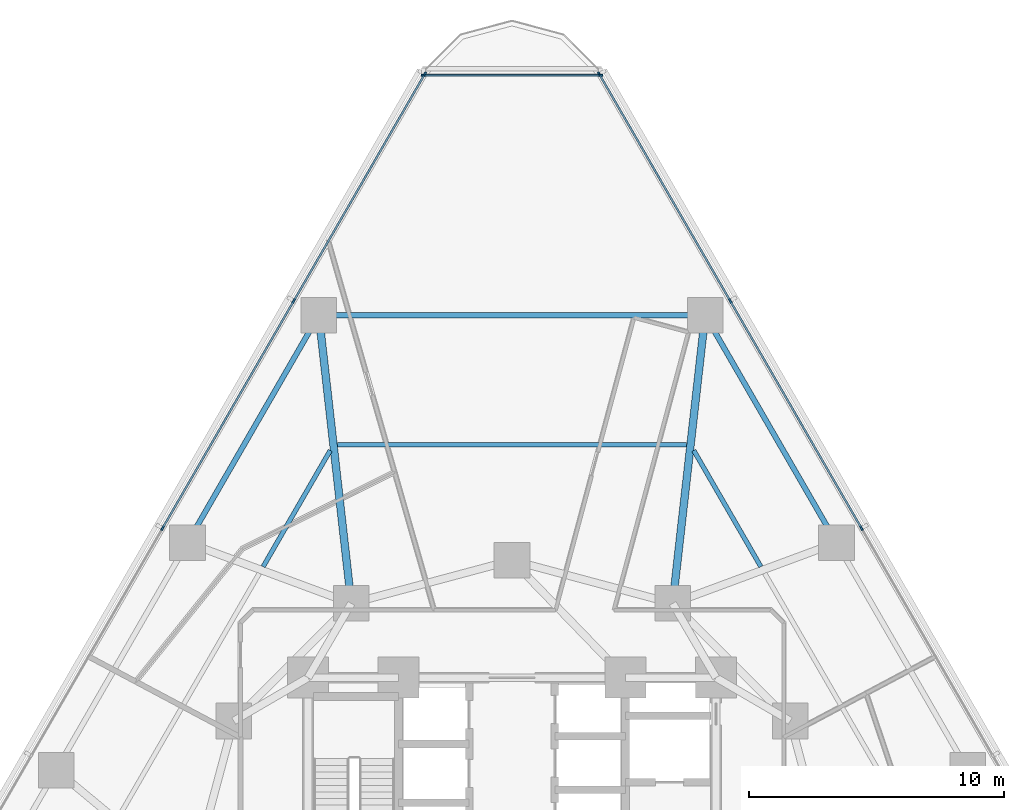
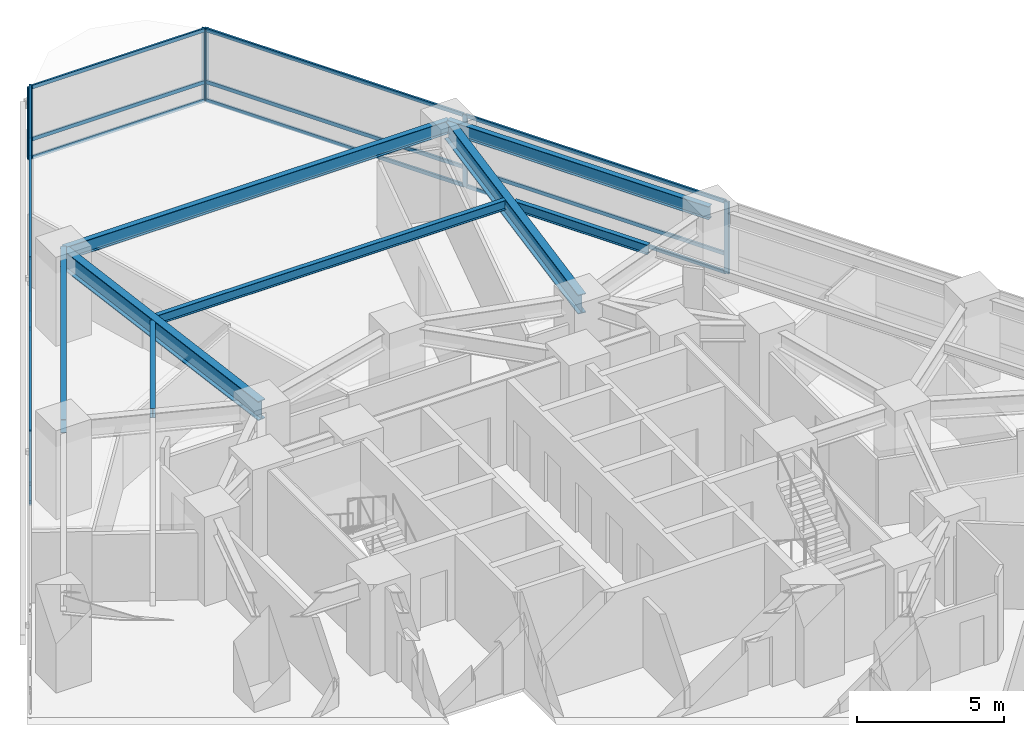
# One storey, part 6 of 16: 23 members, 8 beams, 3 elements without a shape of their own.
"""IFC4 building model written with IfcOpenShell, lengths in metres."""

from ifc_helpers import new_model, si_unit, direction, frame, origin, origin_2d, place, context, subcontext, project, spatial, rectangle, i_section, extrude, material, layer, layer_set, material_profile, profile_set, type_object, element, aggregate, save


model = new_model("IFC4")

# Units and contexts
model_context = context("Model", 3, precision=1e-05, world=origin(), true_north=direction((0.0, 1.0)))
body_context = subcontext(model_context, "Body", "Model", "MODEL_VIEW")
ifc_project = project(units=[si_unit("LENGTHUNIT", "METRE"), si_unit("AREAUNIT", "SQUARE_METRE"), si_unit("VOLUMEUNIT", "CUBIC_METRE"), si_unit("PLANEANGLEUNIT", "RADIAN"), si_unit("MASSUNIT", "GRAM", prefix="KILO")], contexts=[model_context])

# Site, building, storey
site_placement = place(None, origin())
site = spatial("IfcSite", under=ifc_project, at=site_placement, CompositionType="ELEMENT")
building_placement = place(site_placement, origin())
building = spatial("IfcBuilding", under=site, at=building_placement, Name="Terralouvre Media Tower", CompositionType="ELEMENT")
storey_placement = place(building_placement, frame((0.0, 0.0, 37.10009765625)))
storey = spatial("IfcBuildingStorey", under=building, at=storey_placement, Name="L08", CompositionType="ELEMENT", Elevation=37.10009765625)

# Beams
ifc_material_1 = material(Name="Structural steel S355J2", Category="steel")
ifc_material_profile_1 = material_profile(ifc_material_1, i_section(OverallWidth=0.179931640625, OverallDepth=0.39990234375, WebThickness=0.008544921875, FlangeThickness=0.013427734375, at=origin_2d()), Name="IPE 400")
ifc_profile_set_1 = profile_set([ifc_material_profile_1], Name="Structural steel S355J2")
beam_type_1 = type_object("IfcBeamType", Name="Composite Floor Joist J-IPE400 (IPE 400)", PredefinedType="JOIST", material=ifc_profile_set_1)
beam_1_placement = place(storey_placement, frame((9.758544921875, 12.351806640625, 3.2998046875), z_axis=(-0.499984733014, 0.866034218004, 0.0), x_axis=(-0.866034218004, -0.499984733014, 0.0)))
element("IfcBeam", 1, at=beam_1_placement, inside=storey, type_object=beam_type_1, Name="L08 Framing Beam JT-L08-08", PredefinedType="JOIST", context=body_context, shape_type="SweptSolid", body=[
    extrude(i_section(OverallWidth=0.179931640625, OverallDepth=0.39990234375, WebThickness=0.008544921875, FlangeThickness=0.013427734375, at=origin_2d()), origin(), (0.0, 0.0, 1.0), 5.264404296875),
])
beam_2_placement = place(storey_placement, frame((6.85107421875, 17.127685546875, 3.2998046875), z_axis=(-1.0, 0.0, 0.0), x_axis=(0.0, -1.0, 0.0)))
element("IfcBeam", 2, at=beam_2_placement, inside=storey, type_object=beam_type_1, Name="L08 Framing Beam JT-L08-09", PredefinedType="JOIST", context=body_context, shape_type="SweptSolid", body=[
    extrude(i_section(OverallWidth=0.179931640625, OverallDepth=0.39990234375, WebThickness=0.008544921875, FlangeThickness=0.013427734375, at=origin_2d()), origin(), (0.0, 0.0, 1.0), 13.7021484375),
])
beam_3_placement = place(storey_placement, frame((-7.12646484375, 16.910888671875, 3.2998046875), z_axis=(-0.499984733014, -0.866034218004, 0.0), x_axis=(0.866034218004, -0.499984733014, 0.0)))
element("IfcBeam", 3, at=beam_3_placement, inside=storey, type_object=beam_type_1, Name="L08 Framing Beam JT-L08-10", PredefinedType="JOIST", context=body_context, shape_type="SweptSolid", body=[
    extrude(i_section(OverallWidth=0.179931640625, OverallDepth=0.39990234375, WebThickness=0.008544921875, FlangeThickness=0.013427734375, at=origin_2d()), origin(), (0.0, 0.0, 1.0), 5.264404296875),
])

# Curtain wall, members
ifc_material_2 = material(Name="Low-iron laminated double glazing with solar-control coating", Category="glass")
ifc_layer_1 = layer(ifc_material_2, 0.1650390625, Name="Lower Media Tower Unitised Curtain Wall CW-02")
ifc_layer_set_1 = layer_set([ifc_layer_1], Name="Low-iron laminated double glazing with solar-control coating")
curtain_wall_type_1 = type_object("IfcCurtainWallType", Name="Lower Media Tower Unitised Curtain Wall CW-02", PredefinedType="NOTDEFINED", material=ifc_layer_set_1)
curtain_wall_1_placement = place(storey_placement, origin())
curtain_wall_1 = element("IfcCurtainWall", 4, at=curtain_wall_1_placement, inside=storey, type_object=curtain_wall_type_1, Name="L08 Facade Curtain Wall F1", PredefinedType="NOTDEFINED")
ifc_material_3 = material(Name="Anodised extruded aluminium 6063-T6", Category="aluminium")
ifc_material_profile_2 = material_profile(ifc_material_3, rectangle(XDim=0.074951171875, YDim=0.14990234375, at=origin_2d()), Name="ALU 75x150")
ifc_profile_set_2 = profile_set([ifc_material_profile_2], Name="Anodised extruded aluminium 6063-T6")
member_type_1 = type_object("IfcMemberType", Name="Curtain-Wall Horizontal Transom TR-150", PredefinedType="USERDEFINED", material=ifc_profile_set_2)
member_1_placement = place(storey_placement, frame((13.684814453125, 13.890869140625, 0.037353515625), z_axis=(-0.499998717582, 0.866026144187, 0.0), x_axis=(-0.866026144187, -0.499998717582, 0.0)))
member_1 = element("IfcMember", 5, at=member_1_placement, type_object=member_type_1, Name="CW-02 transom 4.1", ObjectType="TRANSOM", PredefinedType="USERDEFINED", context=body_context, shape_type="SweptSolid", body=[
    extrude(rectangle(XDim=0.074951171875, YDim=0.14990234375, at=origin_2d()), origin(), (0.0, 0.0, 1.0), 10.22509765625),
])
member_2_placement = place(storey_placement, frame((13.684814453125, 13.890869140625, 0.7998046875), z_axis=(-0.499998717582, 0.866026144187, 0.0), x_axis=(-0.866026144187, -0.499998717582, 0.0)))
member_2 = element("IfcMember", 6, at=member_2_placement, type_object=member_type_1, Name="CW-02 transom 4.2", ObjectType="TRANSOM", PredefinedType="USERDEFINED", context=body_context, shape_type="SweptSolid", body=[
    extrude(rectangle(XDim=0.074951171875, YDim=0.14990234375, at=origin_2d()), origin(), (0.0, 0.0, 1.0), 10.22509765625),
])
member_3_placement = place(storey_placement, frame((13.684814453125, 13.890869140625, 2.96240234375), z_axis=(-0.499998717582, 0.866026144187, 0.0), x_axis=(-0.866026144187, -0.499998717582, 0.0)))
member_3 = element("IfcMember", 7, at=member_3_placement, type_object=member_type_1, Name="CW-02 transom 4.3", ObjectType="TRANSOM", PredefinedType="USERDEFINED", context=body_context, shape_type="SweptSolid", body=[
    extrude(rectangle(XDim=0.074951171875, YDim=0.14990234375, at=origin_2d()), origin(), (0.0, 0.0, 1.0), 10.22509765625),
])
member_4_placement = place(storey_placement, frame((8.53466796875, 22.81103515625, 0.037353515625), z_axis=(-0.500005272087, 0.866022359922, 0.0), x_axis=(-0.866022359922, -0.500005272087, 0.0)))
member_4 = element("IfcMember", 8, at=member_4_placement, type_object=member_type_1, Name="CW-02 transom 5.1", ObjectType="TRANSOM", PredefinedType="USERDEFINED", context=body_context, shape_type="SweptSolid", body=[
    extrude(rectangle(XDim=0.074951171875, YDim=0.14990234375, at=origin_2d()), origin(), (0.0, 0.0, 1.0), 10.1875),
])
member_5_placement = place(storey_placement, frame((8.53466796875, 22.81103515625, 0.7998046875), z_axis=(-0.500005272087, 0.866022359922, 0.0), x_axis=(-0.866022359922, -0.500005272087, 0.0)))
member_5 = element("IfcMember", 9, at=member_5_placement, type_object=member_type_1, Name="CW-02 transom 5.2", ObjectType="TRANSOM", PredefinedType="USERDEFINED", context=body_context, shape_type="SweptSolid", body=[
    extrude(rectangle(XDim=0.074951171875, YDim=0.14990234375, at=origin_2d()), origin(), (0.0, 0.0, 1.0), 10.1875),
])
member_6_placement = place(storey_placement, frame((8.53466796875, 22.81103515625, 2.96240234375), z_axis=(-0.500005272087, 0.866022359922, 0.0), x_axis=(-0.866022359922, -0.500005272087, 0.0)))
member_6 = element("IfcMember", 10, at=member_6_placement, type_object=member_type_1, Name="CW-02 transom 5.3", ObjectType="TRANSOM", PredefinedType="USERDEFINED", context=body_context, shape_type="SweptSolid", body=[
    extrude(rectangle(XDim=0.074951171875, YDim=0.14990234375, at=origin_2d()), origin(), (0.0, 0.0, 1.0), 10.1875),
])

curtain_wall_2_placement = place(storey_placement, origin())
curtain_wall_2 = element("IfcCurtainWall", 11, at=curtain_wall_2_placement, inside=storey, type_object=curtain_wall_type_1, Name="L08 Facade Curtain Wall F2", PredefinedType="NOTDEFINED")
member_7_placement = place(storey_placement, frame((-3.44091796875, 31.633544921875, 0.037353515625), z_axis=(-0.500005272087, -0.866022359922, 0.0), x_axis=(0.866022359922, -0.500005272087, 0.0)))
member_7 = element("IfcMember", 12, at=member_7_placement, type_object=member_type_1, Name="CW-02 transom 1.1", ObjectType="TRANSOM", PredefinedType="USERDEFINED", context=body_context, shape_type="SweptSolid", body=[
    extrude(rectangle(XDim=0.074951171875, YDim=0.14990234375, at=origin_2d()), origin(), (0.0, 0.0, 1.0), 10.1875),
])
member_8_placement = place(storey_placement, frame((-3.44091796875, 31.633544921875, 0.7998046875), z_axis=(-0.500005272087, -0.866022359922, 0.0), x_axis=(0.866022359922, -0.500005272087, 0.0)))
member_8 = element("IfcMember", 13, at=member_8_placement, type_object=member_type_1, Name="CW-02 transom 1.2", ObjectType="TRANSOM", PredefinedType="USERDEFINED", context=body_context, shape_type="SweptSolid", body=[
    extrude(rectangle(XDim=0.074951171875, YDim=0.14990234375, at=origin_2d()), origin(), (0.0, 0.0, 1.0), 10.1875),
])
member_9_placement = place(storey_placement, frame((-3.44091796875, 31.633544921875, 2.96240234375), z_axis=(-0.500005272087, -0.866022359922, 0.0), x_axis=(0.866022359922, -0.500005272087, 0.0)))
member_9 = element("IfcMember", 14, at=member_9_placement, type_object=member_type_1, Name="CW-02 transom 1.3", ObjectType="TRANSOM", PredefinedType="USERDEFINED", context=body_context, shape_type="SweptSolid", body=[
    extrude(rectangle(XDim=0.074951171875, YDim=0.14990234375, at=origin_2d()), origin(), (0.0, 0.0, 1.0), 10.1875),
])
member_10_placement = place(storey_placement, frame((-8.572265625, 22.74609375, 0.037353515625), z_axis=(-0.499998717582, -0.866026144187, 0.0), x_axis=(0.866026144187, -0.499998717582, 0.0)))
member_10 = element("IfcMember", 15, at=member_10_placement, type_object=member_type_1, Name="CW-02 transom 2.1", ObjectType="TRANSOM", PredefinedType="USERDEFINED", context=body_context, shape_type="SweptSolid", body=[
    extrude(rectangle(XDim=0.074951171875, YDim=0.14990234375, at=origin_2d()), origin(), (0.0, 0.0, 1.0), 10.22509765625),
])
member_11_placement = place(storey_placement, frame((-8.572265625, 22.74609375, 0.7998046875), z_axis=(-0.499998717582, -0.866026144187, 0.0), x_axis=(0.866026144187, -0.499998717582, 0.0)))
member_11 = element("IfcMember", 16, at=member_11_placement, type_object=member_type_1, Name="CW-02 transom 2.2", ObjectType="TRANSOM", PredefinedType="USERDEFINED", context=body_context, shape_type="SweptSolid", body=[
    extrude(rectangle(XDim=0.074951171875, YDim=0.14990234375, at=origin_2d()), origin(), (0.0, 0.0, 1.0), 10.22509765625),
])
member_12_placement = place(storey_placement, frame((-8.572265625, 22.74609375, 2.96240234375), z_axis=(-0.499998717582, -0.866026144187, 0.0), x_axis=(0.866026144187, -0.499998717582, 0.0)))
member_12 = element("IfcMember", 17, at=member_12_placement, type_object=member_type_1, Name="CW-02 transom 2.3", ObjectType="TRANSOM", PredefinedType="USERDEFINED", context=body_context, shape_type="SweptSolid", body=[
    extrude(rectangle(XDim=0.074951171875, YDim=0.14990234375, at=origin_2d()), origin(), (0.0, 0.0, 1.0), 10.22509765625),
])

ifc_material_4 = material(Name="Low-iron laminated double glazing with solar-control coating", Category="glass")
ifc_layer_2 = layer(ifc_material_4, 0.1650390625, Name="Rounded Wind-Corner Curved Glazing CW-04")
ifc_layer_set_2 = layer_set([ifc_layer_2], Name="Low-iron laminated double glazing with solar-control coating")
curtain_wall_type_2 = type_object("IfcCurtainWallType", Name="Rounded Wind-Corner Curved Glazing CW-04", PredefinedType="NOTDEFINED", material=ifc_layer_set_2)
curtain_wall_3_placement = place(storey_placement, origin())
curtain_wall_3 = element("IfcCurtainWall", 18, at=curtain_wall_3_placement, inside=storey, type_object=curtain_wall_type_2, Name="L08 Rounded Wind-Corner Curtain Wall C2", PredefinedType="NOTDEFINED")
member_13_placement = place(storey_placement, frame((3.432373046875, 31.61865234375, 0.037353515625), z_axis=(-1.0, 0.0, 0.0), x_axis=(0.0, -1.0, 0.0)))
member_13 = element("IfcMember", 19, at=member_13_placement, type_object=member_type_1, Name="CW-04 transom 1.1", ObjectType="TRANSOM", PredefinedType="USERDEFINED", context=body_context, shape_type="SweptSolid", body=[
    extrude(rectangle(XDim=0.074951171875, YDim=0.14990234375, at=origin_2d()), origin(), (0.0, 0.0, 1.0), 6.86474609375),
])
member_14_placement = place(storey_placement, frame((3.432373046875, 31.61865234375, 0.7998046875), z_axis=(-1.0, 0.0, 0.0), x_axis=(0.0, -1.0, 0.0)))
member_14 = element("IfcMember", 20, at=member_14_placement, type_object=member_type_1, Name="CW-04 transom 1.2", ObjectType="TRANSOM", PredefinedType="USERDEFINED", context=body_context, shape_type="SweptSolid", body=[
    extrude(rectangle(XDim=0.074951171875, YDim=0.14990234375, at=origin_2d()), origin(), (0.0, 0.0, 1.0), 6.86474609375),
])
member_15_placement = place(storey_placement, frame((3.432373046875, 31.61865234375, 2.96240234375), z_axis=(-1.0, 0.0, 0.0), x_axis=(0.0, -1.0, 0.0)))
member_15 = element("IfcMember", 21, at=member_15_placement, type_object=member_type_1, Name="CW-04 transom 1.3", ObjectType="TRANSOM", PredefinedType="USERDEFINED", context=body_context, shape_type="SweptSolid", body=[
    extrude(rectangle(XDim=0.074951171875, YDim=0.14990234375, at=origin_2d()), origin(), (0.0, 0.0, 1.0), 6.86474609375),
])

# Member
ifc_material_5 = material(Name="Anodised extruded aluminium 6063-T6", Category="aluminium")
ifc_material_profile_3 = material_profile(ifc_material_5, rectangle(XDim=0.074951171875, YDim=0.179931640625, at=origin_2d()), Name="ALU 75x180")
ifc_profile_set_3 = profile_set([ifc_material_profile_3], Name="Anodised extruded aluminium 6063-T6")
member_type_2 = type_object("IfcMemberType", Name="Curtain-Wall Vertical Mullion ML-180", PredefinedType="MULLION", material=ifc_profile_set_3)
member_16_placement = place(storey_placement, frame((13.703369140625, 13.8583984375, 0.0), z_axis=(0.0, 0.0, 1.0), x_axis=(-0.866025412057, -0.499999985671, 0.0)))
member_16 = element("IfcMember", 22, at=member_16_placement, type_object=member_type_2, Name="CW-02 mullion 4", PredefinedType="MULLION", context=body_context, shape_type="SweptSolid", body=[
    extrude(rectangle(XDim=0.074951171875, YDim=0.179931640625, at=origin_2d()), origin(), (0.0, 0.0, 1.0), 3.0),
])

member_17_placement = place(storey_placement, frame((8.553466796875, 22.778564453125, 0.0), z_axis=(0.0, 0.0, 1.0), x_axis=(-0.866025412057, -0.499999985671, 0.0)))
member_17 = element("IfcMember", 23, at=member_17_placement, type_object=member_type_2, Name="CW-02 mullion 5", PredefinedType="MULLION", context=body_context, shape_type="SweptSolid", body=[
    extrude(rectangle(XDim=0.074951171875, YDim=0.179931640625, at=origin_2d()), origin(), (0.0, 0.0, 1.0), 3.0),
])

member_18_placement = place(storey_placement, frame((3.422119140625, 31.666015625, 0.0), z_axis=(0.0, 0.0, 1.0), x_axis=(-0.866025412057, -0.499999985671, 0.0)))
member_18 = element("IfcMember", 24, at=member_18_placement, type_object=member_type_2, Name="CW-02 mullion 6", PredefinedType="MULLION", context=body_context, shape_type="SweptSolid", body=[
    extrude(rectangle(XDim=0.074951171875, YDim=0.179931640625, at=origin_2d()), origin(), (0.0, 0.0, 1.0), 3.0),
])

aggregate(curtain_wall_1, [member_16, member_17, member_18, member_1, member_2, member_3, member_4, member_5, member_6])

member_19_placement = place(storey_placement, frame((-3.422119140625, 31.666015625, 0.0), z_axis=(0.0, 0.0, 1.0), x_axis=(0.866025412057, -0.499999985671, 0.0)))
member_19 = element("IfcMember", 25, at=member_19_placement, type_object=member_type_2, Name="CW-02 mullion 1", PredefinedType="MULLION", context=body_context, shape_type="SweptSolid", body=[
    extrude(rectangle(XDim=0.074951171875, YDim=0.179931640625, at=origin_2d()), origin(), (0.0, 0.0, 1.0), 3.0),
])

member_20_placement = place(storey_placement, frame((-8.553466796875, 22.778564453125, 0.0), z_axis=(0.0, 0.0, 1.0), x_axis=(0.866025412057, -0.499999985671, 0.0)))
member_20 = element("IfcMember", 26, at=member_20_placement, type_object=member_type_2, Name="CW-02 mullion 2", PredefinedType="MULLION", context=body_context, shape_type="SweptSolid", body=[
    extrude(rectangle(XDim=0.074951171875, YDim=0.179931640625, at=origin_2d()), origin(), (0.0, 0.0, 1.0), 3.0),
])

member_21_placement = place(storey_placement, frame((-13.703369140625, 13.8583984375, 0.0), z_axis=(0.0, 0.0, 1.0), x_axis=(0.866025412057, -0.499999985671, 0.0)))
member_21 = element("IfcMember", 27, at=member_21_placement, type_object=member_type_2, Name="CW-02 mullion 3", PredefinedType="MULLION", context=body_context, shape_type="SweptSolid", body=[
    extrude(rectangle(XDim=0.074951171875, YDim=0.179931640625, at=origin_2d()), origin(), (0.0, 0.0, 1.0), 3.0),
])

aggregate(curtain_wall_2, [member_19, member_20, member_21, member_7, member_8, member_9, member_10, member_11, member_12])

member_22_placement = place(storey_placement, frame((3.469970703125, 31.61865234375, 0.0), z_axis=(0.0, 0.0, 1.0), x_axis=(0.0, -1.0, 0.0)))
member_22 = element("IfcMember", 28, at=member_22_placement, type_object=member_type_2, Name="CW-04 mullion 1", PredefinedType="MULLION", context=body_context, shape_type="SweptSolid", body=[
    extrude(rectangle(XDim=0.074951171875, YDim=0.179931640625, at=origin_2d()), origin(), (0.0, 0.0, 1.0), 3.0),
])

member_23_placement = place(storey_placement, frame((-3.469970703125, 31.61865234375, 0.0), z_axis=(0.0, 0.0, 1.0), x_axis=(0.0, -1.0, 0.0)))
member_23 = element("IfcMember", 29, at=member_23_placement, type_object=member_type_2, Name="CW-04 mullion 2", PredefinedType="MULLION", context=body_context, shape_type="SweptSolid", body=[
    extrude(rectangle(XDim=0.074951171875, YDim=0.179931640625, at=origin_2d()), origin(), (0.0, 0.0, 1.0), 3.0),
])

aggregate(curtain_wall_3, [member_22, member_23, member_13, member_14, member_15])

# Beams
ifc_material_6 = material(Name="Structural steel S355J2", Category="steel")
ifc_material_profile_4 = material_profile(ifc_material_6, i_section(OverallWidth=0.2099609375, OverallDepth=0.550048828125, WebThickness=0.010986328125, FlangeThickness=0.01708984375, at=origin_2d()), Name="IPE 550")
ifc_profile_set_4 = profile_set([ifc_material_profile_4], Name="Structural steel S355J2")
beam_type_2 = type_object("IfcBeamType", Name="Perimeter Spandrel Beam SPB-550 (IPE 550)", PredefinedType="SPANDREL", material=ifc_profile_set_4)
beam_4_placement = place(storey_placement, frame((12.724853515625, 13.29345703125, 3.224853515625), z_axis=(-0.499998765615, 0.866026116456, 0.0), x_axis=(-0.866026116456, -0.499998765615, 0.0)))
element("IfcBeam", 30, at=beam_4_placement, inside=storey, type_object=beam_type_2, Name="L08 Framing Beam BM-L08-PR08", PredefinedType="SPANDREL", context=body_context, shape_type="SweptSolid", body=[
    extrude(i_section(OverallWidth=0.2099609375, OverallDepth=0.550048828125, WebThickness=0.010986328125, FlangeThickness=0.01708984375, at=origin_2d()), origin(), (0.0, 0.0, 1.0), 10.2998046875),
])
beam_5_placement = place(storey_placement, frame((7.574951171875, 22.21337890625, 3.224853515625), z_axis=(-1.0, 0.0, 0.0), x_axis=(0.0, -1.0, 0.0)))
element("IfcBeam", 31, at=beam_5_placement, inside=storey, type_object=beam_type_2, Name="L08 Framing Beam BM-L08-PR09", PredefinedType="SPANDREL", context=body_context, shape_type="SweptSolid", body=[
    extrude(i_section(OverallWidth=0.2099609375, OverallDepth=0.550048828125, WebThickness=0.010986328125, FlangeThickness=0.01708984375, at=origin_2d()), origin(), (0.0, 0.0, 1.0), 15.14990234375),
])
beam_6_placement = place(storey_placement, frame((-7.574951171875, 22.21337890625, 3.224853515625), z_axis=(-0.499998765615, -0.866026116456, 0.0), x_axis=(0.866026116456, -0.499998765615, 0.0)))
element("IfcBeam", 32, at=beam_6_placement, inside=storey, type_object=beam_type_2, Name="L08 Framing Beam BM-L08-PR10", PredefinedType="SPANDREL", context=body_context, shape_type="SweptSolid", body=[
    extrude(i_section(OverallWidth=0.2099609375, OverallDepth=0.550048828125, WebThickness=0.010986328125, FlangeThickness=0.01708984375, at=origin_2d()), origin(), (0.0, 0.0, 1.0), 10.2998046875),
])
ifc_material_7 = material(Name="Structural steel S460M", Category="steel")
ifc_material_profile_5 = material_profile(ifc_material_7, i_section(OverallWidth=0.300048828125, OverallDepth=0.800048828125, WebThickness=0.017578125, FlangeThickness=0.032958984375, at=origin_2d()), Name="HEB 800")
ifc_profile_set_5 = profile_set([ifc_material_profile_5], Name="Structural steel S460M")
beam_type_3 = type_object("IfcBeamType", Name="Primary Floor Girder B-HEB800 (HEB 800)", PredefinedType="BEAM", material=ifc_profile_set_5)
for number, where, z_axis, x_axis, name in (
    (33, (6.300048828125, 10.911865234375, 3.099853515625), (0.112097104782, 0.993697257267, 0.0), (-0.993697257267, 0.112097104782, 0.0), "L08 Framing Beam BM-L08-RD09"),
    (34, (-6.300048828125, 10.911865234375, 3.099853515625), (-0.112097104782, 0.993697257267, 0.0), (-0.993697257267, -0.112097104782, 0.0), "L08 Framing Beam BM-L08-RD10"),
):
    element("IfcBeam", number, at=place(storey_placement, frame(where, z_axis=z_axis, x_axis=x_axis)), inside=storey, type_object=beam_type_3, Name=name, PredefinedType="BEAM", context=body_context, shape_type="SweptSolid", body=[
        extrude(i_section(OverallWidth=0.300048828125, OverallDepth=0.800048828125, WebThickness=0.017578125, FlangeThickness=0.032958984375, at=origin_2d()), origin(), (0.0, 0.0, 1.0), 11.373291015625),
    ])

save(model, "model.ifc")
